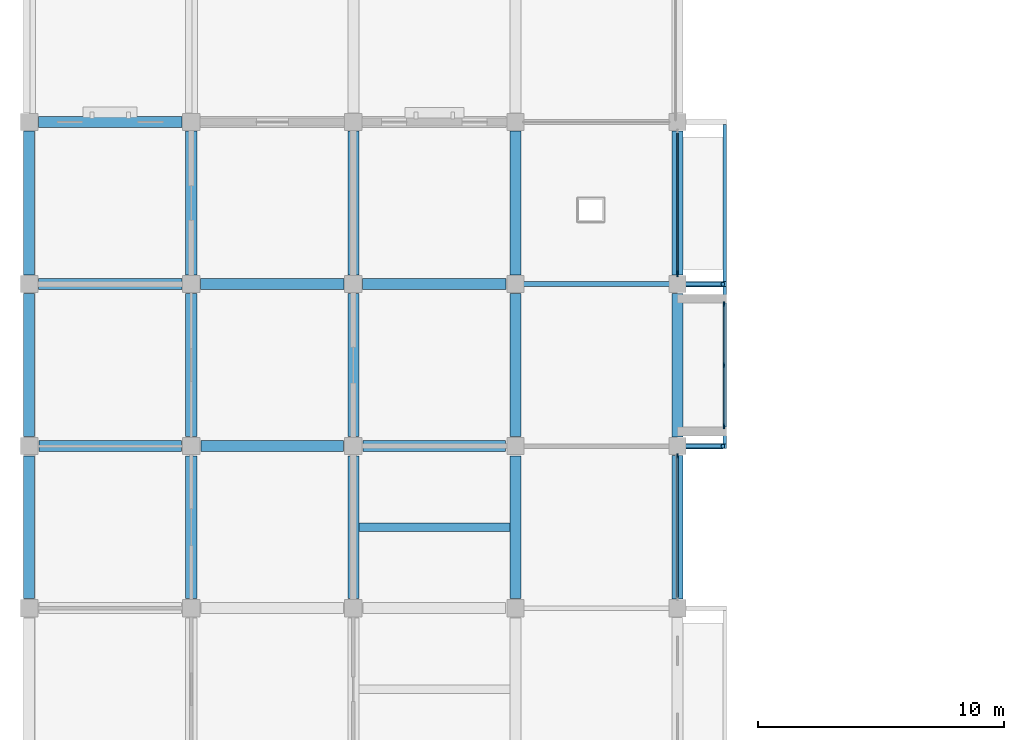
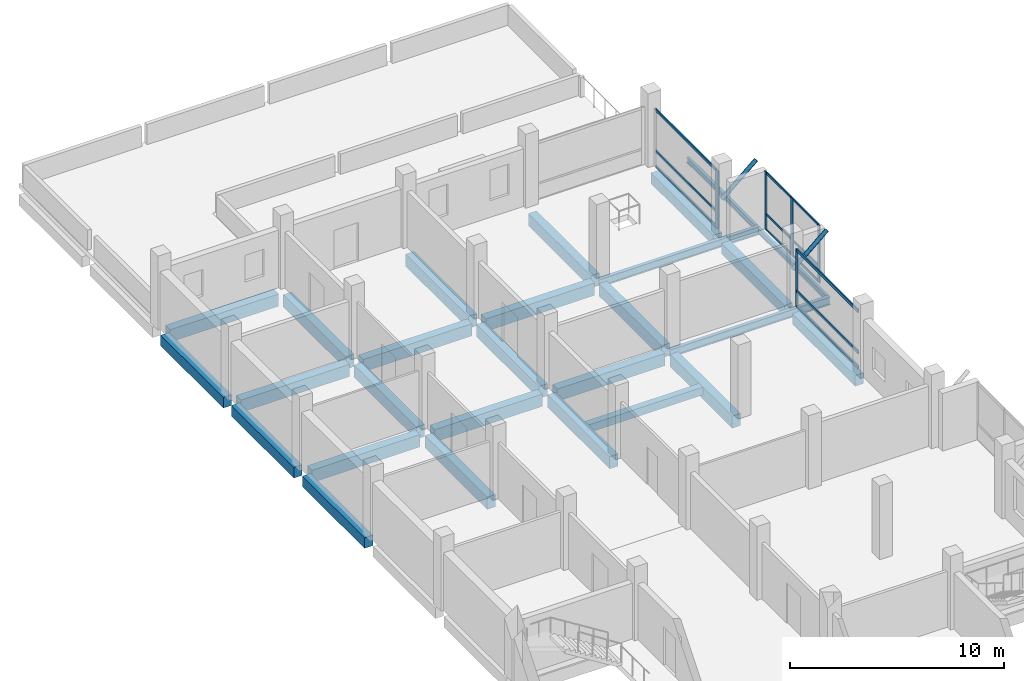
# One storey, part 4 of 13: 27 beams, 19 members, 3 elements without a shape of their own.
"""IFC4 building model written with IfcOpenShell, lengths in metres."""

from ifc_helpers import new_model, si_unit, direction, frame, origin, origin_2d, place, context, subcontext, project, spatial, rectangle, hollow_circle, i_section, extrude, material, material_profile, profile_set, type_object, element, aggregate, save


model = new_model("IFC4")

# Units and contexts
model_context = context("Model", 3, precision=1e-05, world=origin(), true_north=direction((0.0, 1.0)))
body_context = subcontext(model_context, "Body", "Model", "MODEL_VIEW")
ifc_project = project(units=[si_unit("LENGTHUNIT", "METRE"), si_unit("AREAUNIT", "SQUARE_METRE"), si_unit("VOLUMEUNIT", "CUBIC_METRE"), si_unit("PLANEANGLEUNIT", "RADIAN"), si_unit("MASSUNIT", "GRAM", prefix="KILO")], contexts=[model_context])

# Site, building, storey
site_placement = place(None, origin())
site = spatial("IfcSite", under=ifc_project, at=site_placement, CompositionType="ELEMENT")
building_placement = place(site_placement, origin())
building = spatial("IfcBuilding", under=site, at=building_placement, Name="Rusizi Kubbe Research Institute", CompositionType="ELEMENT")
storey_placement = place(building_placement, frame((0.0, 0.0, 35.39990234375)))
storey = spatial("IfcBuildingStorey", under=building, at=storey_placement, Name="L08", CompositionType="ELEMENT", Elevation=35.39990234375)

# Beams
ifc_material_1 = material(Name="Steel S355", Category="steel")
ifc_material_profile_1 = material_profile(ifc_material_1, i_section(OverallWidth=0.14990234375, OverallDepth=0.300048828125, WebThickness=0.007080078125, FlangeThickness=0.0107421875, at=origin_2d()), Name="IPE 300")
ifc_profile_set_1 = profile_set([ifc_material_profile_1], Name="Steel S355")
beam_type_1 = type_object("IfcBeamType", Name="BM-IPE300", PredefinedType="BEAM", material=ifc_profile_set_1)
for number, where, z_axis, x_axis, name in (
    (1, (28.324951171875, 52.89501953125, -0.469970703125), (0.0, 1.0, 0.0), (-1.0, 0.0, 0.0), "Cumba Edge Tie Beam L08-2"),
    (2, (28.324951171875, 59.4951171875, -0.469970703125), (0.0, 1.0, 0.0), (-1.0, 0.0, 0.0), "Cumba Edge Tie Beam L08-5"),
):
    element("IfcBeam", number, at=place(storey_placement, frame(where, z_axis=z_axis, x_axis=x_axis)), inside=storey, type_object=beam_type_1, Name=name, PredefinedType="BEAM", context=body_context, shape_type="SweptSolid", body=[
        extrude(i_section(OverallWidth=0.14990234375, OverallDepth=0.300048828125, WebThickness=0.007080078125, FlangeThickness=0.0107421875, at=origin_2d()), origin(), (0.0, 0.0, 1.0), 6.409912109375),
    ])
ifc_material_2 = material(Name="Steel S355", Category="steel")
ifc_material_profile_2 = material_profile(ifc_material_2, i_section(OverallWidth=0.18994140625, OverallDepth=0.449951171875, WebThickness=0.009521484375, FlangeThickness=0.0146484375, at=origin_2d()), Name="IPE 450")
ifc_profile_set_2 = profile_set([ifc_material_profile_2], Name="Steel S355")
beam_type_2 = type_object("IfcBeamType", Name="BM-IPE450", PredefinedType="BEAM", material=ifc_profile_set_2)
for number, where, z_axis, x_axis, name in (
    (3, (19.800048828125, 52.800048828125, -0.544921875), (1.0, 0.0, 0.0), (0.0, 1.0, 0.0), "Cumba Back-Spanned Cantilever Beam L08-2S"),
    (4, (19.800048828125, 59.39990234375, -0.544921875), (1.0, 0.0, 0.0), (0.0, 1.0, 0.0), "Cumba Back-Spanned Cantilever Beam L08-2N"),
):
    element("IfcBeam", number, at=place(storey_placement, frame(where, z_axis=z_axis, x_axis=x_axis)), inside=storey, type_object=beam_type_2, Name=name, PredefinedType="BEAM", context=body_context, shape_type="SweptSolid", body=[
        extrude(i_section(OverallWidth=0.18994140625, OverallDepth=0.449951171875, WebThickness=0.009521484375, FlangeThickness=0.0146484375, at=origin_2d()), origin(), (0.0, 0.0, 1.0), 8.599853515625),
    ])
ifc_material_3 = material(Name="Concrete C40/50", Category="concrete")
ifc_material_profile_3 = material_profile(ifc_material_3, rectangle(XDim=0.35009765625, YDim=0.449951171875, at=origin_2d()), Name="RC350x450")
ifc_profile_set_3 = profile_set([ifc_material_profile_3], Name="Concrete C40/50")
beam_type_3 = type_object("IfcBeamType", Name="BM-RC350x450", PredefinedType="JOIST", material=ifc_profile_set_3)
beam_1_placement = place(storey_placement, frame((13.425048828125, 49.5, -0.544921875), z_axis=(1.0, 0.0, 0.0), x_axis=(0.0, 1.0, 0.0)))
element("IfcBeam", 5, at=beam_1_placement, inside=storey, type_object=beam_type_3, Name="Lab Stiffener Joist L08 (2,7)", PredefinedType="JOIST", context=body_context, shape_type="SweptSolid", body=[
    extrude(rectangle(XDim=0.35009765625, YDim=0.449951171875, at=origin_2d()), origin(), (0.0, 0.0, 1.0), 6.14990234375),
])
ifc_material_4 = material(Name="Concrete C40/50", Category="concrete")
ifc_material_profile_4 = material_profile(ifc_material_4, rectangle(XDim=0.449951171875, YDim=0.60009765625, at=origin_2d()), Name="RC450x600")
ifc_profile_set_4 = profile_set([ifc_material_profile_4], Name="Concrete C40/50")
beam_type_4 = type_object("IfcBeamType", Name="BM-RC450x600", PredefinedType="SPANDREL", material=ifc_profile_set_4)
beam_2_placement = place(storey_placement, frame((0.0, 46.60009765625, -0.619873046875), z_axis=(0.0, 1.0, 0.0), x_axis=(-1.0, 0.0, 0.0)))
element("IfcBeam", 6, at=beam_2_placement, inside=storey, type_object=beam_type_4, Name="Grid Beam V L08 (0,7)", PredefinedType="SPANDREL", context=body_context, shape_type="SweptSolid", body=[
    extrude(rectangle(XDim=0.449951171875, YDim=0.60009765625, at=origin_2d()), origin(), (0.0, 0.0, 1.0), 5.7998046875),
])
beam_3_placement = place(storey_placement, frame((0.0, 53.199951171875, -0.619873046875), z_axis=(0.0, 1.0, 0.0), x_axis=(-1.0, 0.0, 0.0)))
element("IfcBeam", 7, at=beam_3_placement, inside=storey, type_object=beam_type_4, Name="Grid Beam V L08 (0,8)", PredefinedType="SPANDREL", context=body_context, shape_type="SweptSolid", body=[
    extrude(rectangle(XDim=0.449951171875, YDim=0.60009765625, at=origin_2d()), origin(), (0.0, 0.0, 1.0), 5.824951171875),
])
for number, where, z_axis, x_axis, name in (
    (8, (0.0, 59.77490234375, -0.619873046875), (0.0, 1.0, 0.0), (-1.0, 0.0, 0.0), "Grid Beam V L08 (0,9)"),
    (9, (26.39990234375, 46.574951171875, -0.619873046875), (0.0, 1.0, 0.0), (-1.0, 0.0, 0.0), "Grid Beam V L08 (4,7)"),
):
    element("IfcBeam", number, at=place(storey_placement, frame(where, z_axis=z_axis, x_axis=x_axis)), inside=storey, type_object=beam_type_4, Name=name, PredefinedType="SPANDREL", context=body_context, shape_type="SweptSolid", body=[
        extrude(rectangle(XDim=0.449951171875, YDim=0.60009765625, at=origin_2d()), origin(), (0.0, 0.0, 1.0), 5.85009765625),
    ])
beam_4_placement = place(storey_placement, frame((26.39990234375, 53.175048828125, -0.619873046875), z_axis=(0.0, 1.0, 0.0), x_axis=(-1.0, 0.0, 0.0)))
element("IfcBeam", 10, at=beam_4_placement, inside=storey, type_object=beam_type_4, Name="Grid Beam V L08 (4,8)", PredefinedType="SPANDREL", context=body_context, shape_type="SweptSolid", body=[
    extrude(rectangle(XDim=0.449951171875, YDim=0.60009765625, at=origin_2d()), origin(), (0.0, 0.0, 1.0), 5.849853515625),
])
beam_5_placement = place(storey_placement, frame((26.39990234375, 59.77490234375, -0.619873046875), z_axis=(0.0, 1.0, 0.0), x_axis=(-1.0, 0.0, 0.0)))
element("IfcBeam", 11, at=beam_5_placement, inside=storey, type_object=beam_type_4, Name="Grid Beam V L08 (4,9)", PredefinedType="SPANDREL", context=body_context, shape_type="SweptSolid", body=[
    extrude(rectangle(XDim=0.449951171875, YDim=0.60009765625, at=origin_2d()), origin(), (0.0, 0.0, 1.0), 5.85009765625),
])
ifc_material_5 = material(Name="Concrete C40/50", Category="concrete")
ifc_material_profile_5 = material_profile(ifc_material_5, rectangle(XDim=0.449951171875, YDim=0.699951171875, at=origin_2d()), Name="RC450x700B")
ifc_profile_set_5 = profile_set([ifc_material_profile_5], Name="Concrete C40/50")
beam_type_5 = type_object("IfcBeamType", Name="BM-RC450x700", PredefinedType="BEAM", material=ifc_profile_set_5)
beam_6_placement = place(storey_placement, frame((0.39990234375, 52.800048828125, -0.669921875), z_axis=(1.0, 0.0, 0.0), x_axis=(0.0, 1.0, 0.0)))
element("IfcBeam", 12, at=beam_6_placement, inside=storey, type_object=beam_type_5, Name="Grid Beam H L08 (0,8)", PredefinedType="BEAM", context=body_context, shape_type="SweptSolid", body=[
    extrude(rectangle(XDim=0.449951171875, YDim=0.699951171875, at=origin_2d()), origin(), (0.0, 0.0, 1.0), 5.800048828125),
])
for number, where, z_axis, x_axis, name in (
    (13, (0.375, 59.39990234375, -0.669921875), (1.0, 0.0, 0.0), (0.0, 1.0, 0.0), "Grid Beam H L08 (0,9)"),
    (14, (0.375, 66.0, -0.669921875), (1.0, 0.0, 0.0), (0.0, 1.0, 0.0), "Grid Beam H L08 (0,10)"),
):
    element("IfcBeam", number, at=place(storey_placement, frame(where, z_axis=z_axis, x_axis=x_axis)), inside=storey, type_object=beam_type_5, Name=name, PredefinedType="BEAM", context=body_context, shape_type="SweptSolid", body=[
        extrude(rectangle(XDim=0.449951171875, YDim=0.699951171875, at=origin_2d()), origin(), (0.0, 0.0, 1.0), 5.85009765625),
    ])
beam_7_placement = place(storey_placement, frame((7.0, 52.800048828125, -0.669921875), z_axis=(1.0, 0.0, 0.0), x_axis=(0.0, 1.0, 0.0)))
element("IfcBeam", 15, at=beam_7_placement, inside=storey, type_object=beam_type_5, Name="Grid Beam H L08 (1,8)", PredefinedType="BEAM", context=body_context, shape_type="SweptSolid", body=[
    extrude(rectangle(XDim=0.449951171875, YDim=0.699951171875, at=origin_2d()), origin(), (0.0, 0.0, 1.0), 5.800048828125),
])
beam_8_placement = place(storey_placement, frame((6.97509765625, 59.39990234375, -0.669921875), z_axis=(1.0, 0.0, 0.0), x_axis=(0.0, 1.0, 0.0)))
element("IfcBeam", 16, at=beam_8_placement, inside=storey, type_object=beam_type_5, Name="Grid Beam H L08 (1,9)", PredefinedType="BEAM", context=body_context, shape_type="SweptSolid", body=[
    extrude(rectangle(XDim=0.449951171875, YDim=0.699951171875, at=origin_2d()), origin(), (0.0, 0.0, 1.0), 5.849853515625),
])
beam_9_placement = place(storey_placement, frame((13.60009765625, 52.800048828125, -0.669921875), z_axis=(1.0, 0.0, 0.0), x_axis=(0.0, 1.0, 0.0)))
element("IfcBeam", 17, at=beam_9_placement, inside=storey, type_object=beam_type_5, Name="Grid Beam H L08 (2,8)", PredefinedType="BEAM", context=body_context, shape_type="SweptSolid", body=[
    extrude(rectangle(XDim=0.449951171875, YDim=0.699951171875, at=origin_2d()), origin(), (0.0, 0.0, 1.0), 5.7998046875),
])
beam_10_placement = place(storey_placement, frame((13.574951171875, 59.39990234375, -0.669921875), z_axis=(1.0, 0.0, 0.0), x_axis=(0.0, 1.0, 0.0)))
element("IfcBeam", 18, at=beam_10_placement, inside=storey, type_object=beam_type_5, Name="Grid Beam H L08 (2,9)", PredefinedType="BEAM", context=body_context, shape_type="SweptSolid", body=[
    extrude(rectangle(XDim=0.449951171875, YDim=0.699951171875, at=origin_2d()), origin(), (0.0, 0.0, 1.0), 5.85009765625),
])
beam_11_placement = place(storey_placement, frame((6.60009765625, 46.60009765625, -0.669921875), z_axis=(0.0, 1.0, 0.0), x_axis=(-1.0, 0.0, 0.0)))
element("IfcBeam", 19, at=beam_11_placement, inside=storey, type_object=beam_type_5, Name="Grid Beam V L08 (1,7)", PredefinedType="BEAM", context=body_context, shape_type="SweptSolid", body=[
    extrude(rectangle(XDim=0.449951171875, YDim=0.699951171875, at=origin_2d()), origin(), (0.0, 0.0, 1.0), 5.7998046875),
])
beam_12_placement = place(storey_placement, frame((6.60009765625, 53.199951171875, -0.669921875), z_axis=(0.0, 1.0, 0.0), x_axis=(-1.0, 0.0, 0.0)))
element("IfcBeam", 20, at=beam_12_placement, inside=storey, type_object=beam_type_5, Name="Grid Beam V L08 (1,8)", PredefinedType="BEAM", context=body_context, shape_type="SweptSolid", body=[
    extrude(rectangle(XDim=0.449951171875, YDim=0.699951171875, at=origin_2d()), origin(), (0.0, 0.0, 1.0), 5.824951171875),
])
beam_13_placement = place(storey_placement, frame((6.60009765625, 59.77490234375, -0.669921875), z_axis=(0.0, 1.0, 0.0), x_axis=(-1.0, 0.0, 0.0)))
element("IfcBeam", 21, at=beam_13_placement, inside=storey, type_object=beam_type_5, Name="Grid Beam V L08 (1,9)", PredefinedType="BEAM", context=body_context, shape_type="SweptSolid", body=[
    extrude(rectangle(XDim=0.449951171875, YDim=0.699951171875, at=origin_2d()), origin(), (0.0, 0.0, 1.0), 5.85009765625),
])
beam_14_placement = place(storey_placement, frame((13.199951171875, 46.60009765625, -0.669921875), z_axis=(0.0, 1.0, 0.0), x_axis=(-1.0, 0.0, 0.0)))
element("IfcBeam", 22, at=beam_14_placement, inside=storey, type_object=beam_type_5, Name="Grid Beam V L08 (2,7)", PredefinedType="BEAM", context=body_context, shape_type="SweptSolid", body=[
    extrude(rectangle(XDim=0.449951171875, YDim=0.699951171875, at=origin_2d()), origin(), (0.0, 0.0, 1.0), 5.7998046875),
])
beam_15_placement = place(storey_placement, frame((13.199951171875, 53.199951171875, -0.669921875), z_axis=(0.0, 1.0, 0.0), x_axis=(-1.0, 0.0, 0.0)))
element("IfcBeam", 23, at=beam_15_placement, inside=storey, type_object=beam_type_5, Name="Grid Beam V L08 (2,8)", PredefinedType="BEAM", context=body_context, shape_type="SweptSolid", body=[
    extrude(rectangle(XDim=0.449951171875, YDim=0.699951171875, at=origin_2d()), origin(), (0.0, 0.0, 1.0), 5.824951171875),
])
beam_16_placement = place(storey_placement, frame((13.199951171875, 59.77490234375, -0.669921875), z_axis=(0.0, 1.0, 0.0), x_axis=(-1.0, 0.0, 0.0)))
element("IfcBeam", 24, at=beam_16_placement, inside=storey, type_object=beam_type_5, Name="Grid Beam V L08 (2,9)", PredefinedType="BEAM", context=body_context, shape_type="SweptSolid", body=[
    extrude(rectangle(XDim=0.449951171875, YDim=0.699951171875, at=origin_2d()), origin(), (0.0, 0.0, 1.0), 5.85009765625),
])
beam_17_placement = place(storey_placement, frame((19.800048828125, 46.60009765625, -0.669921875), z_axis=(0.0, 1.0, 0.0), x_axis=(-1.0, 0.0, 0.0)))
element("IfcBeam", 25, at=beam_17_placement, inside=storey, type_object=beam_type_5, Name="Grid Beam V L08 (3,7)", PredefinedType="BEAM", context=body_context, shape_type="SweptSolid", body=[
    extrude(rectangle(XDim=0.449951171875, YDim=0.699951171875, at=origin_2d()), origin(), (0.0, 0.0, 1.0), 5.7998046875),
])
beam_18_placement = place(storey_placement, frame((19.800048828125, 53.199951171875, -0.669921875), z_axis=(0.0, 1.0, 0.0), x_axis=(-1.0, 0.0, 0.0)))
element("IfcBeam", 26, at=beam_18_placement, inside=storey, type_object=beam_type_5, Name="Grid Beam V L08 (3,8)", PredefinedType="BEAM", context=body_context, shape_type="SweptSolid", body=[
    extrude(rectangle(XDim=0.449951171875, YDim=0.699951171875, at=origin_2d()), origin(), (0.0, 0.0, 1.0), 5.824951171875),
])
beam_19_placement = place(storey_placement, frame((19.800048828125, 59.77490234375, -0.669921875), z_axis=(0.0, 1.0, 0.0), x_axis=(-1.0, 0.0, 0.0)))
element("IfcBeam", 27, at=beam_19_placement, inside=storey, type_object=beam_type_5, Name="Grid Beam V L08 (3,9)", PredefinedType="BEAM", context=body_context, shape_type="SweptSolid", body=[
    extrude(rectangle(XDim=0.449951171875, YDim=0.699951171875, at=origin_2d()), origin(), (0.0, 0.0, 1.0), 5.85009765625),
])

# Members
ifc_material_6 = material(Name="Steel S355", Category="steel")
ifc_material_profile_6 = material_profile(ifc_material_6, hollow_circle(Radius=0.109619140625, WallThickness=0.008056640625, at=origin_2d()), Name="CHS 219.1x8.0")
ifc_profile_set_6 = profile_set([ifc_material_profile_6], Name="Steel S355")
member_type_1 = type_object("IfcMemberType", Name="MB-CHS219", PredefinedType="BRACE", material=ifc_profile_set_6)
for number, where, z_axis, x_axis, name in (
    (28, (26.39990234375, 52.800048828125, 1.880126953125), (0.756409887843, 0.0, 0.654097914362), (0.0, 1.0, 0.0), "Cumba Diagonal Corbel Brace L09-2S"),
    (29, (26.39990234375, 59.39990234375, 1.880126953125), (0.756409887843, 0.0, 0.654097914362), (0.0, 1.0, 0.0), "Cumba Diagonal Corbel Brace L09-2N"),
):
    element("IfcMember", number, at=place(storey_placement, frame(where, z_axis=z_axis, x_axis=x_axis)), inside=storey, type_object=member_type_1, Name=name, PredefinedType="BRACE", context=body_context, shape_type="SweptSolid", body=[
        extrude(hollow_circle(Radius=0.109619140625, WallThickness=0.008056640625, at=origin_2d()), origin(), (0.0, 0.0, 1.0), 2.44580078125),
    ])

# Curtain wall, member
ifc_material_7 = material(Name="Thermally Broken Aluminium and Low-E Glazing", Category="aluminium")
curtain_wall_type_1 = type_object("IfcCurtainWallType", Name="CW-11", PredefinedType="NOTDEFINED", material=ifc_material_7)
curtain_wall_1_placement = place(storey_placement, origin())
curtain_wall_1 = element("IfcCurtainWall", 30, at=curtain_wall_1_placement, inside=storey, type_object=curtain_wall_type_1, Name="Unitised Facade Curtain Wall CW-L08-V-04-07", PredefinedType="NOTDEFINED")
ifc_material_8 = material(Name="Aluminium Alloy 6063-T6", Category="aluminium")
ifc_material_profile_7 = material_profile(ifc_material_8, rectangle(XDim=0.06005859375, YDim=0.179931640625, at=origin_2d()), Name="ALU-M 60x180")
ifc_profile_set_7 = profile_set([ifc_material_profile_7], Name="Aluminium Alloy 6063-T6")
member_type_2 = type_object("IfcMemberType", Name="ML-02", PredefinedType="MULLION", material=ifc_profile_set_7)
member_1_placement = place(storey_placement, frame((26.39990234375, 52.389892578125, 0.0), z_axis=(0.0, 0.0, 1.0), x_axis=(-1.0, 0.0, 0.0)))
member_1 = element("IfcMember", 31, at=member_1_placement, type_object=member_type_2, Name="CW-11 mullion 2", PredefinedType="MULLION", context=body_context, shape_type="SweptSolid", body=[
    extrude(rectangle(XDim=0.06005859375, YDim=0.179931640625, at=origin_2d()), origin(), (0.0, 0.0, 1.0), 3.280029296875),
])

# Curtain wall, members
ifc_material_9 = material(Name="Thermally Broken Aluminium and Low-E Glazing", Category="aluminium")
curtain_wall_type_2 = type_object("IfcCurtainWallType", Name="CW-03", PredefinedType="NOTDEFINED", material=ifc_material_9)
curtain_wall_2_placement = place(storey_placement, origin())
curtain_wall_2 = element("IfcCurtainWall", 32, at=curtain_wall_2_placement, inside=storey, type_object=curtain_wall_type_2, Name="Cumba Glazed Curtain Wall CW-CUMBA-L08-092", PredefinedType="NOTDEFINED")
ifc_material_10 = material(Name="Aluminium Alloy 6063-T6", Category="aluminium")
ifc_material_profile_8 = material_profile(ifc_material_10, rectangle(XDim=0.06494140625, YDim=0.199951171875, at=origin_2d()), Name="ALU-M 65x200")
ifc_profile_set_8 = profile_set([ifc_material_profile_8], Name="Aluminium Alloy 6063-T6")
member_type_3 = type_object("IfcMemberType", Name="ML-03", PredefinedType="MULLION", material=ifc_profile_set_8)
member_2_placement = place(storey_placement, frame((28.300048828125, 53.614990234375, 0.0), z_axis=(0.0, 0.0, 1.0), x_axis=(-1.0, 0.0, 0.0)))
member_2 = element("IfcMember", 33, at=member_2_placement, type_object=member_type_3, Name="CW-03 mullion 1", PredefinedType="MULLION", context=body_context, shape_type="SweptSolid", body=[
    extrude(rectangle(XDim=0.06494140625, YDim=0.199951171875, at=origin_2d()), origin(), (0.0, 0.0, 1.0), 3.280029296875),
])
member_3_placement = place(storey_placement, frame((28.300048828125, 56.10009765625, 0.0), z_axis=(0.0, 0.0, 1.0), x_axis=(-1.0, 0.0, 0.0)))
member_3 = element("IfcMember", 34, at=member_3_placement, type_object=member_type_3, Name="CW-03 mullion 2", PredefinedType="MULLION", context=body_context, shape_type="SweptSolid", body=[
    extrude(rectangle(XDim=0.06494140625, YDim=0.199951171875, at=origin_2d()), origin(), (0.0, 0.0, 1.0), 3.280029296875),
])
member_4_placement = place(storey_placement, frame((28.300048828125, 58.5849609375, 0.0), z_axis=(0.0, 0.0, 1.0), x_axis=(-1.0, 0.0, 0.0)))
member_4 = element("IfcMember", 35, at=member_4_placement, type_object=member_type_3, Name="CW-03 mullion 3", PredefinedType="MULLION", context=body_context, shape_type="SweptSolid", body=[
    extrude(rectangle(XDim=0.06494140625, YDim=0.199951171875, at=origin_2d()), origin(), (0.0, 0.0, 1.0), 3.280029296875),
])

# Curtain wall, member
curtain_wall_3_placement = place(storey_placement, origin())
curtain_wall_3 = element("IfcCurtainWall", 36, at=curtain_wall_3_placement, inside=storey, type_object=curtain_wall_type_1, Name="Unitised Facade Curtain Wall CW-L08-V-04-09", PredefinedType="NOTDEFINED")
ifc_material_11 = material(Name="Aluminium Alloy 6063-T6", Category="aluminium")
ifc_material_profile_9 = material_profile(ifc_material_11, rectangle(XDim=0.074951171875, YDim=0.25, at=origin_2d()), Name="ALU-M 75x250")
ifc_profile_set_9 = profile_set([ifc_material_profile_9], Name="Aluminium Alloy 6063-T6")
member_type_4 = type_object("IfcMemberType", Name="ML-05", PredefinedType="MULLION", material=ifc_profile_set_9)
member_5_placement = place(storey_placement, frame((26.39990234375, 59.8173828125, 0.0), z_axis=(0.0, 0.0, 1.0), x_axis=(-1.0, 0.0, 0.0)))
member_5 = element("IfcMember", 37, at=member_5_placement, type_object=member_type_4, Name="CW-11 mullion 1", PredefinedType="MULLION", context=body_context, shape_type="SweptSolid", body=[
    extrude(rectangle(XDim=0.074951171875, YDim=0.25, at=origin_2d()), origin(), (0.0, 0.0, 1.0), 3.280029296875),
])

# Member
ifc_material_12 = material(Name="Aluminium Alloy 6063-T6", Category="aluminium")
ifc_material_profile_10 = material_profile(ifc_material_12, rectangle(XDim=0.06005859375, YDim=0.1201171875, at=origin_2d()), Name="ALU-T 60x120")
ifc_profile_set_10 = profile_set([ifc_material_profile_10], Name="Aluminium Alloy 6063-T6")
member_type_5 = type_object("IfcMemberType", Name="TR-01", PredefinedType="USERDEFINED", material=ifc_profile_set_10)
member_6_placement = place(storey_placement, frame((28.300048828125, 53.6474609375, 0.030029296875), z_axis=(0.0, 1.0, 0.0), x_axis=(-1.0, 0.0, 0.0)))
member_6 = element("IfcMember", 38, at=member_6_placement, type_object=member_type_5, Name="CW-03 transom 1.1", ObjectType="TRANSOM", PredefinedType="USERDEFINED", context=body_context, shape_type="SweptSolid", body=[
    extrude(rectangle(XDim=0.06005859375, YDim=0.1201171875, at=origin_2d()), origin(), (0.0, 0.0, 1.0), 2.419921875),
])

member_7_placement = place(storey_placement, frame((28.300048828125, 53.6474609375, 0.900146484375), z_axis=(0.0, 1.0, 0.0), x_axis=(-1.0, 0.0, 0.0)))
member_7 = element("IfcMember", 39, at=member_7_placement, type_object=member_type_5, Name="CW-03 transom 1.2", ObjectType="TRANSOM", PredefinedType="USERDEFINED", context=body_context, shape_type="SweptSolid", body=[
    extrude(rectangle(XDim=0.06005859375, YDim=0.1201171875, at=origin_2d()), origin(), (0.0, 0.0, 1.0), 2.419921875),
])

member_8_placement = place(storey_placement, frame((28.300048828125, 53.6474609375, 3.25), z_axis=(0.0, 1.0, 0.0), x_axis=(-1.0, 0.0, 0.0)))
member_8 = element("IfcMember", 40, at=member_8_placement, type_object=member_type_5, Name="CW-03 transom 1.3", ObjectType="TRANSOM", PredefinedType="USERDEFINED", context=body_context, shape_type="SweptSolid", body=[
    extrude(rectangle(XDim=0.06005859375, YDim=0.1201171875, at=origin_2d()), origin(), (0.0, 0.0, 1.0), 2.419921875),
])

member_9_placement = place(storey_placement, frame((28.300048828125, 56.132568359375, 0.030029296875), z_axis=(0.0, 1.0, 0.0), x_axis=(-1.0, 0.0, 0.0)))
member_9 = element("IfcMember", 41, at=member_9_placement, type_object=member_type_5, Name="CW-03 transom 2.1", ObjectType="TRANSOM", PredefinedType="USERDEFINED", context=body_context, shape_type="SweptSolid", body=[
    extrude(rectangle(XDim=0.06005859375, YDim=0.1201171875, at=origin_2d()), origin(), (0.0, 0.0, 1.0), 2.419921875),
])

member_10_placement = place(storey_placement, frame((28.300048828125, 56.132568359375, 0.900146484375), z_axis=(0.0, 1.0, 0.0), x_axis=(-1.0, 0.0, 0.0)))
member_10 = element("IfcMember", 42, at=member_10_placement, type_object=member_type_5, Name="CW-03 transom 2.2", ObjectType="TRANSOM", PredefinedType="USERDEFINED", context=body_context, shape_type="SweptSolid", body=[
    extrude(rectangle(XDim=0.06005859375, YDim=0.1201171875, at=origin_2d()), origin(), (0.0, 0.0, 1.0), 2.419921875),
])

member_11_placement = place(storey_placement, frame((28.300048828125, 56.132568359375, 3.25), z_axis=(0.0, 1.0, 0.0), x_axis=(-1.0, 0.0, 0.0)))
member_11 = element("IfcMember", 43, at=member_11_placement, type_object=member_type_5, Name="CW-03 transom 2.3", ObjectType="TRANSOM", PredefinedType="USERDEFINED", context=body_context, shape_type="SweptSolid", body=[
    extrude(rectangle(XDim=0.06005859375, YDim=0.1201171875, at=origin_2d()), origin(), (0.0, 0.0, 1.0), 2.419921875),
])

aggregate(curtain_wall_2, [member_2, member_3, member_4, member_6, member_7, member_8, member_9, member_10, member_11])

ifc_material_13 = material(Name="Aluminium Alloy 6063-T6", Category="aluminium")
ifc_material_profile_11 = material_profile(ifc_material_13, rectangle(XDim=0.06494140625, YDim=0.159912109375, at=origin_2d()), Name="ALU-T 65x160")
ifc_profile_set_11 = profile_set([ifc_material_profile_11], Name="Aluminium Alloy 6063-T6")
member_type_6 = type_object("IfcMemberType", Name="TR-03", PredefinedType="USERDEFINED", material=ifc_profile_set_11)
member_12_placement = place(storey_placement, frame((26.39990234375, 59.85498046875, 0.03271484375), z_axis=(0.0, 1.0, 0.0), x_axis=(-1.0, 0.0, 0.0)))
member_12 = element("IfcMember", 44, at=member_12_placement, type_object=member_type_6, Name="CW-11 transom 1.1", ObjectType="TRANSOM", PredefinedType="USERDEFINED", context=body_context, shape_type="SweptSolid", body=[
    extrude(rectangle(XDim=0.06494140625, YDim=0.159912109375, at=origin_2d()), origin(), (0.0, 0.0, 1.0), 5.68994140625),
])

member_13_placement = place(storey_placement, frame((26.39990234375, 59.85498046875, 0.900146484375), z_axis=(0.0, 1.0, 0.0), x_axis=(-1.0, 0.0, 0.0)))
member_13 = element("IfcMember", 45, at=member_13_placement, type_object=member_type_6, Name="CW-11 transom 1.2", ObjectType="TRANSOM", PredefinedType="USERDEFINED", context=body_context, shape_type="SweptSolid", body=[
    extrude(rectangle(XDim=0.06494140625, YDim=0.159912109375, at=origin_2d()), origin(), (0.0, 0.0, 1.0), 5.68994140625),
])

member_14_placement = place(storey_placement, frame((26.39990234375, 59.85498046875, 3.24755859375), z_axis=(0.0, 1.0, 0.0), x_axis=(-1.0, 0.0, 0.0)))
member_14 = element("IfcMember", 46, at=member_14_placement, type_object=member_type_6, Name="CW-11 transom 1.3", ObjectType="TRANSOM", PredefinedType="USERDEFINED", context=body_context, shape_type="SweptSolid", body=[
    extrude(rectangle(XDim=0.06494140625, YDim=0.159912109375, at=origin_2d()), origin(), (0.0, 0.0, 1.0), 5.68994140625),
])

aggregate(curtain_wall_3, [member_5, member_12, member_13, member_14])

ifc_material_14 = material(Name="Aluminium Alloy 6063-T6", Category="aluminium")
ifc_material_profile_12 = material_profile(ifc_material_14, rectangle(XDim=0.070068359375, YDim=0.18994140625, at=origin_2d()), Name="ALU-T 70x190")
ifc_profile_set_12 = profile_set([ifc_material_profile_12], Name="Aluminium Alloy 6063-T6")
member_type_7 = type_object("IfcMemberType", Name="TR-04", PredefinedType="USERDEFINED", material=ifc_profile_set_12)
member_15_placement = place(storey_placement, frame((26.39990234375, 46.639892578125, 0.03515625), z_axis=(0.0, 1.0, 0.0), x_axis=(-1.0, 0.0, 0.0)))
member_15 = element("IfcMember", 47, at=member_15_placement, type_object=member_type_7, Name="CW-11 transom 1.1", ObjectType="TRANSOM", PredefinedType="USERDEFINED", context=body_context, shape_type="SweptSolid", body=[
    extrude(rectangle(XDim=0.070068359375, YDim=0.18994140625, at=origin_2d()), origin(), (0.0, 0.0, 1.0), 5.72021484375),
])

member_16_placement = place(storey_placement, frame((26.39990234375, 46.639892578125, 0.900146484375), z_axis=(0.0, 1.0, 0.0), x_axis=(-1.0, 0.0, 0.0)))
member_16 = element("IfcMember", 48, at=member_16_placement, type_object=member_type_7, Name="CW-11 transom 1.2", ObjectType="TRANSOM", PredefinedType="USERDEFINED", context=body_context, shape_type="SweptSolid", body=[
    extrude(rectangle(XDim=0.070068359375, YDim=0.18994140625, at=origin_2d()), origin(), (0.0, 0.0, 1.0), 5.72021484375),
])

member_17_placement = place(storey_placement, frame((26.39990234375, 46.639892578125, 3.2451171875), z_axis=(0.0, 1.0, 0.0), x_axis=(-1.0, 0.0, 0.0)))
member_17 = element("IfcMember", 49, at=member_17_placement, type_object=member_type_7, Name="CW-11 transom 1.3", ObjectType="TRANSOM", PredefinedType="USERDEFINED", context=body_context, shape_type="SweptSolid", body=[
    extrude(rectangle(XDim=0.070068359375, YDim=0.18994140625, at=origin_2d()), origin(), (0.0, 0.0, 1.0), 5.72021484375),
])

aggregate(curtain_wall_1, [member_1, member_15, member_16, member_17])

save(model, "model.ifc")
